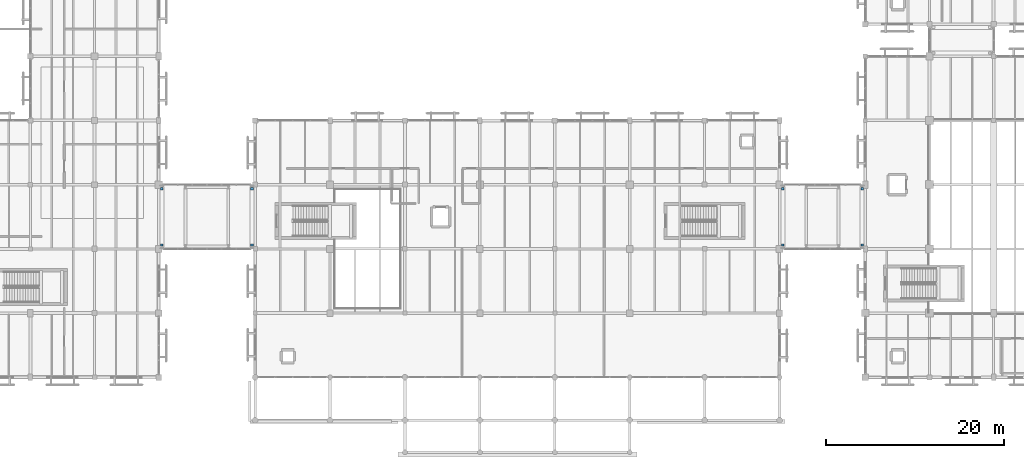
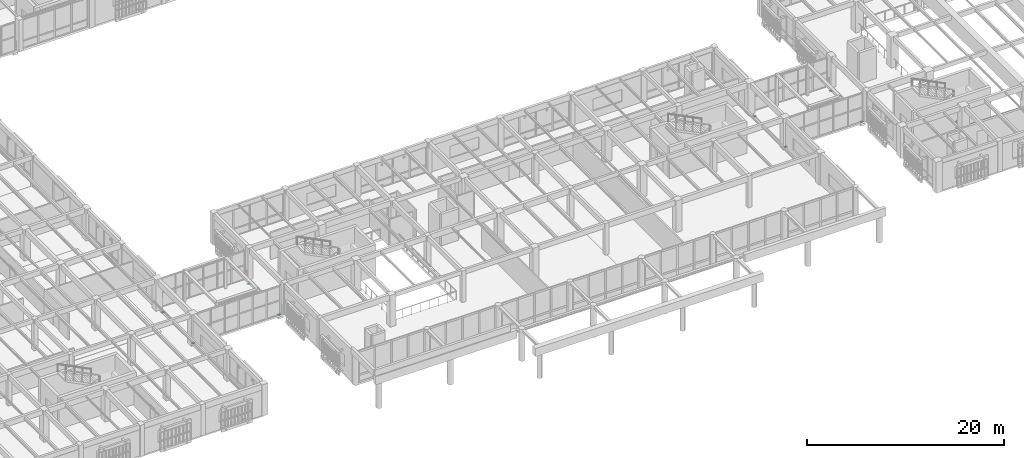
# One storey, part 145 of 170: 8 discrete accessories.
"""IFC4 building model written with IfcOpenShell, lengths in metres."""

from ifc_helpers import new_model, si_unit, direction, frame, origin, origin_2d, place, context, subcontext, project, spatial, rectangle, extrude, material, type_object, element, save


model = new_model("IFC4")

# Units and contexts
model_context = context("Model", 3, precision=1e-05, world=origin(), true_north=direction((0.0, 1.0)))
body_context = subcontext(model_context, "Body", "Model", "MODEL_VIEW")
ifc_project = project(units=[si_unit("LENGTHUNIT", "METRE"), si_unit("AREAUNIT", "SQUARE_METRE"), si_unit("VOLUMEUNIT", "CUBIC_METRE"), si_unit("PLANEANGLEUNIT", "RADIAN"), si_unit("MASSUNIT", "GRAM", prefix="KILO")], contexts=[model_context])

# Site, building, storey
site_placement = place(None, origin())
site = spatial("IfcSite", under=ifc_project, at=site_placement, CompositionType="ELEMENT")
building_placement = place(site_placement, origin())
building = spatial("IfcBuilding", under=site, at=building_placement, Name="Mazaris Harbour Polytechnic", CompositionType="ELEMENT")
storey_placement = place(building_placement, frame((0.0, 0.0, 5.39990234375)))
storey = spatial("IfcBuildingStorey", under=building, at=storey_placement, Name="L01", CompositionType="ELEMENT", Elevation=5.39990234375)

# Discrete accessories
ifc_material = material(Name="Steel S355", Category="steel")
discrete_accessory_type = type_object("IfcDiscreteAccessoryType", Name="PTFE Sliding Bridge Bearing 300x250x65 Exterior", PredefinedType="BRACKET", material=ifc_material)
for number, where, z_axis, x_axis, name in (
    (1, (43.550048828125, 22.050048828125, -0.329833984375), (0.0, 0.0, 1.0), (1.0, 0.0, 0.0), "PB-W1 L01 PTFE Sliding Bearing W1"),
    (2, (43.550048828125, 28.35009765625, -0.329833984375), (0.0, 0.0, 1.0), (1.0, 0.0, 0.0), "PB-W1 L01 PTFE Sliding Bearing W2"),
    (3, (53.64990234375, 22.050048828125, -0.329833984375), (0.0, 0.0, 1.0), (1.0, 0.0, 0.0), "PB-W1 L01 PTFE Sliding Bearing E1"),
    (4, (53.64990234375, 28.35009765625, -0.329833984375), (0.0, 0.0, 1.0), (1.0, 0.0, 0.0), "PB-W1 L01 PTFE Sliding Bearing E2"),
    (5, (113.14990234375, 22.050048828125, -0.329833984375), (0.0, 0.0, 1.0), (1.0, 0.0, 0.0), "PB-E1 L01 PTFE Sliding Bearing W1"),
    (6, (113.14990234375, 28.35009765625, -0.329833984375), (0.0, 0.0, 1.0), (1.0, 0.0, 0.0), "PB-E1 L01 PTFE Sliding Bearing W2"),
    (7, (122.050048828125, 22.050048828125, -0.329833984375), (0.0, 0.0, 1.0), (1.0, 0.0, 0.0), "PB-E1 L01 PTFE Sliding Bearing E1"),
    (8, (122.050048828125, 28.35009765625, -0.329833984375), (0.0, 0.0, 1.0), (1.0, 0.0, 0.0), "PB-E1 L01 PTFE Sliding Bearing E2"),
):
    element("IfcDiscreteAccessory", number, at=place(storey_placement, frame(where, z_axis=z_axis, x_axis=x_axis)), inside=storey, type_object=discrete_accessory_type, Name=name, PredefinedType="BRACKET", context=body_context, shape_type="SweptSolid", body=[
        extrude(rectangle(XDim=0.300048828125, YDim=0.25, at=origin_2d()), origin(), (0.0, 0.0, 1.0), 0.06494140625),
    ])

save(model, "model.ifc")
